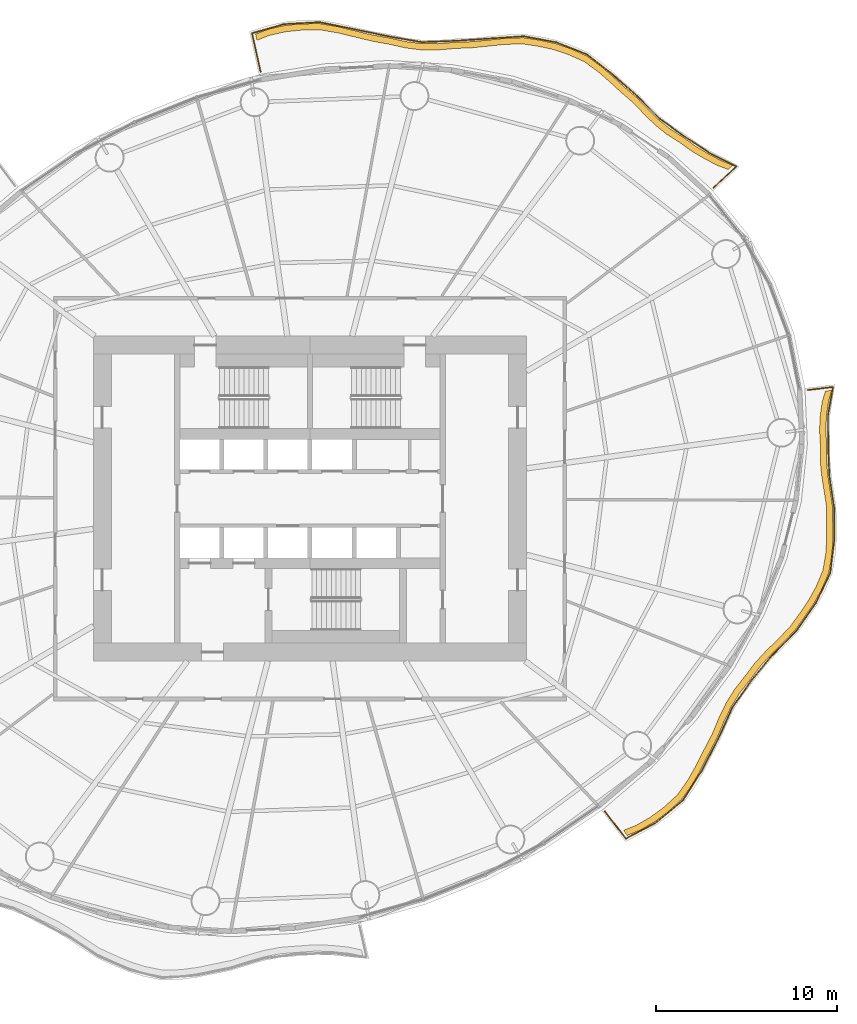
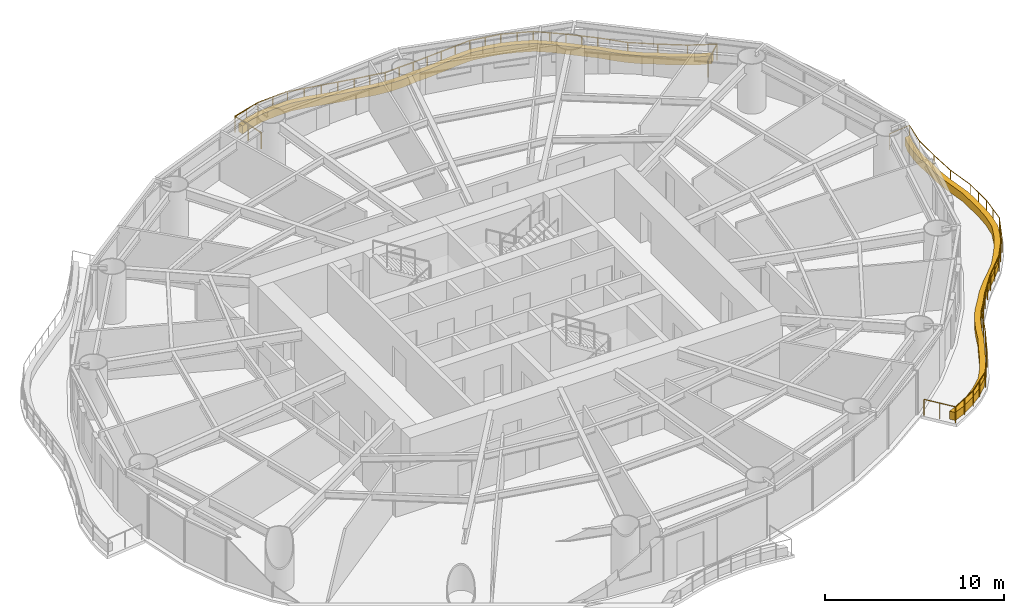
# One storey, part 14 of 14: 2 coverings, 2 railings.
"""IFC4 building model written with IfcOpenShell, lengths in metres."""

from ifc_helpers import new_model, si_unit, direction, frame, origin, origin_2d, place, context, subcontext, project, spatial, polyline, circle, outline, extrude, material, type_object, element, save


model = new_model("IFC4")

# Units and contexts
model_context = context("Model", 3, precision=1e-05, world=origin(), true_north=direction((0.0, 1.0)))
body_context = subcontext(model_context, "Body", "Model", "MODEL_VIEW")
ifc_project = project(units=[si_unit("LENGTHUNIT", "METRE"), si_unit("AREAUNIT", "SQUARE_METRE"), si_unit("VOLUMEUNIT", "CUBIC_METRE"), si_unit("PLANEANGLEUNIT", "RADIAN"), si_unit("MASSUNIT", "GRAM", prefix="KILO")], contexts=[model_context])

# Site, building, storey
site_placement = place(None, origin())
site = spatial("IfcSite", under=ifc_project, at=site_placement, CompositionType="ELEMENT")
building_placement = place(site_placement, origin())
building = spatial("IfcBuilding", under=site, at=building_placement, Name="Vermilion Reach Broadcast Tower", CompositionType="ELEMENT")
storey_placement = place(building_placement, frame((0.0, 0.0, 131.800048828125)))
storey = spatial("IfcBuildingStorey", under=building, at=storey_placement, Name="L31", CompositionType="ELEMENT", Elevation=131.800048828125)

# Coverings
ifc_material_1 = material(Name="Planting soil and greenery")
covering_type = type_object("IfcCoveringType", Name="Balcony PLANTER", PredefinedType="USERDEFINED", material=ifc_material_1)
placement = place(storey_placement, origin())
element("IfcCovering", 1, at=placement, inside=storey, type_object=covering_type, Name="PLANTER L31 group 1", ObjectType="PLANTER", PredefinedType="USERDEFINED", context=body_context, shape_type="SweptSolid", body=[
    extrude(outline(polyline([(17.419189453125, 18.464111328125), (16.803955078125, 18.708251953125), (16.08544921875, 19.0791015625), (15.398681640625, 19.484619140625), (14.6982421875, 19.993408203125), (13.958984375, 20.4658203125), (13.333251953125, 20.962890625), (12.750244140625, 21.52294921875), (12.11474609375, 22.1904296875), (11.390869140625, 22.806640625), (10.763916015625, 23.385009765625), (10.12646484375, 23.942138671875), (9.324462890625, 24.52197265625), (8.40869140625, 24.92626953125), (7.614990234375, 25.196044921875), (6.79296875, 25.37890625), (5.8115234375, 25.529052734375), (4.785400390625, 25.4912109375), (3.892333984375, 25.397216796875), (3.000244140625, 25.308349609375), (2.040771484375, 25.274169921875), (1.07666015625, 25.19140625), (0.19482421875, 25.19873046875), (-0.68017578125, 25.307861328125), (-1.6220703125, 25.516357421875), (-2.60400390625, 25.690185546875), (-3.514892578125, 25.91015625), (-4.426025390625, 26.131591796875), (-5.461181640625, 26.307861328125), (-6.511962890625, 26.292724609375), (-7.421875, 26.198974609375), (-8.313720703125, 25.9970703125), (-9.0146484375, 25.724365234375), (-8.9384765625, 25.3828125), (-8.25634765625, 25.65185546875), (-7.364501953125, 25.853515625), (-6.45458984375, 25.947265625), (-5.423583984375, 25.9599609375), (-4.407958984375, 25.781982421875), (-3.496826171875, 25.560546875), (-2.5859375, 25.340576171875), (-1.62451171875, 25.16650390625), (-0.703125, 24.958740234375), (0.172119140625, 24.849609375), (1.053955078125, 24.84228515625), (1.996826171875, 24.927001953125), (2.934814453125, 24.964599609375), (3.826904296875, 25.05322265625), (4.719970703125, 25.147216796875), (5.724365234375, 25.190185546875), (6.684326171875, 25.046142578125), (7.50634765625, 24.863525390625), (8.2998046875, 24.59375), (9.193603515625, 24.197509765625), (9.973876953125, 23.627197265625), (10.611328125, 23.070068359375), (11.23828125, 22.49169921875), (11.940185546875, 21.88720703125), (12.554443359375, 21.232666015625), (13.1376953125, 20.672607421875), (13.763427734375, 20.175537109375), (14.4814453125, 19.71875), (15.162109375, 19.2265625), (15.848876953125, 18.821044921875), (16.5673828125, 18.450439453125), (17.16357421875, 18.225341796875), (17.419189453125, 18.464111328125)])), origin(), (0.0, 0.0, 1.0), 0.550048828125),
])
element("IfcCovering", 2, at=placement, inside=storey, type_object=covering_type, Name="PLANTER L31 group 4", ObjectType="PLANTER", PredefinedType="USERDEFINED", context=body_context, shape_type="SweptSolid", body=[
    extrude(outline(polyline([(11.5771484375, -18.653564453125), (12.281494140625, -18.36767578125), (13.084716796875, -17.902587890625), (13.823974609375, -17.362548828125), (14.595703125, -16.651123046875), (15.19921875, -15.79931640625), (15.65234375, -14.9931640625), (16.072265625, -14.156005859375), (16.549072265625, -13.250732421875), (16.9375, -12.333251953125), (17.328369140625, -11.52783203125), (17.792724609375, -10.7763671875), (18.378662109375, -10.0322265625), (18.940185546875, -9.285400390625), (19.535400390625, -8.63330078125), (20.17236328125, -8.0048828125), (20.881591796875, -7.276123046875), (21.45654296875, -6.4716796875), (21.937255859375, -5.76171875), (22.34716796875, -5.0234375), (22.736083984375, -4.097900390625), (22.904541015625, -3.12744140625), (22.957275390625, -2.298583984375), (22.953125, -1.455078125), (22.94921875, -0.482177734375), (22.80859375, 0.46044921875), (22.682373046875, 1.27490234375), (22.608154296875, 2.083984375), (22.6142578125, 2.964599609375), (22.570556640625, 3.822998046875), (22.610107421875, 4.60546875), (22.720703125, 5.39111328125), (22.89453125, 5.9931640625), (22.546875, 5.951416015625), (22.37109375, 5.3759765625), (22.260498046875, 4.590576171875), (22.220947265625, 3.807861328125), (22.264404296875, 2.9755859375), (22.26025390625, 2.12109375), (22.334228515625, 1.31201171875), (22.460693359375, 0.49755859375), (22.604736328125, -0.42041015625), (22.61376953125, -1.368896484375), (22.617919921875, -2.21240234375), (22.565185546875, -3.04150390625), (22.4033203125, -3.9892578125), (22.022705078125, -4.892333984375), (21.61279296875, -5.630859375), (21.132080078125, -6.340576171875), (20.566162109375, -7.12451171875), (19.8671875, -7.83349609375), (19.230224609375, -8.4619140625), (18.635009765625, -9.11376953125), (18.08447265625, -9.84228515625), (17.5107421875, -10.569091796875), (17.04638671875, -11.3203125), (16.65576171875, -12.1259765625), (16.27978515625, -13.027099609375), (15.81640625, -13.917236328125), (15.396484375, -14.75439453125), (14.943359375, -15.560302734375), (14.353759765625, -16.398193359375), (13.5966796875, -17.096435546875), (12.857421875, -17.636474609375), (12.053955078125, -18.1015625), (11.36474609375, -18.375244140625), (11.5771484375, -18.653564453125)])), origin(), (0.0, 0.0, 1.0), 0.550048828125),
])

# Railings
ifc_material_2 = material(Name="Stainless steel 316 balustrade", Category="steel")
railing_type = type_object("IfcRailingType", Name="Balcony guard 1100", PredefinedType="BALUSTRADE", material=ifc_material_2)
railing_1_placement = place(storey_placement, frame((16.351318359375, 17.221435546875, 0.0)))
element("IfcRailing", 3, at=railing_1_placement, inside=storey, type_object=railing_type, Name="Balcony guard L31 group 1", PredefinedType="BALUSTRADE", context=body_context, shape_type="SweptSolid", body=[
    extrude(circle(Radius=0.02490234375, at=origin_2d()), frame((0.0, 0.0, 1.0751953125), z_axis=(0.730927996919, 0.682454587002, 0.0), x_axis=(-0.682454587002, 0.730927996919, 0.0)), (0.0, 0.0, 1.0), 1.722412109375),
    extrude(circle(Radius=0.02490234375, at=origin_2d()), frame((1.259033203125, 1.175537109375, 1.0751953125), z_axis=(-0.893089136277, 0.449879755784, 0.0), x_axis=(-0.449879755784, -0.893089136277, 0.0)), (0.0, 0.0, 1.0), 1.64697265625),
    extrude(circle(Radius=0.02490234375, at=origin_2d()), frame((-0.2119140625, 1.91650390625, 1.0751953125), z_axis=(-0.834609406562, 0.550842208331, 0.0), x_axis=(-0.550842208331, -0.834609406562, 0.0)), (0.0, 0.0, 1.0), 1.66748046875),
    extrude(circle(Radius=0.02490234375, at=origin_2d()), frame((-1.603515625, 2.8349609375, 1.0751953125), z_axis=(-0.815321236654, 0.579008878223, 0.0), x_axis=(-0.579008878223, -0.815321236654, 0.0)), (0.0, 0.0, 1.0), 1.679931640625),
    extrude(circle(Radius=0.02490234375, at=origin_2d()), frame((-2.97314453125, 3.8076171875, 1.0751953125), z_axis=(-0.705064048845, 0.709143629335, 0.0), x_axis=(-0.709143629335, -0.705064048845, 0.0)), (0.0, 0.0, 1.0), 1.735595703125),
    extrude(circle(Radius=0.02490234375, at=origin_2d()), frame((-4.19677734375, 5.038330078125, 1.0751953125), z_axis=(-0.749609363771, 0.661880504129, 0.0), x_axis=(-0.661880504129, -0.749609363771, 0.0)), (0.0, 0.0, 1.0), 1.808837890625),
    extrude(circle(Radius=0.02490234375, at=origin_2d()), frame((-5.552734375, 6.235595703125, 1.0751953125), z_axis=(-0.785123938357, 0.619338680706, 0.0), x_axis=(-0.619338680706, -0.785123938357, 0.0)), (0.0, 0.0, 1.0), 1.83935546875),
    extrude(circle(Radius=0.02490234375, at=origin_2d()), frame((-6.996826171875, 7.374755859375, 1.0751953125), z_axis=(-0.930301581087, 0.366795540087, 0.0), x_axis=(-0.366795540087, -0.930301581087, 0.0)), (0.0, 0.0, 1.0), 1.843017578125),
    extrude(circle(Radius=0.02490234375, at=origin_2d()), frame((-8.71142578125, 8.05078125, 1.0751953125), z_axis=(-0.983345331631, 0.181746963548, 0.0), x_axis=(-0.181746963548, -0.983345331631, 0.0)), (0.0, 0.0, 1.0), 1.8388671875),
    extrude(circle(Radius=0.02490234375, at=origin_2d()), frame((-10.519775390625, 8.385009765625, 1.0751953125), z_axis=(-0.997704341867, -0.06772035307, 0.0), x_axis=(0.06772035307, -0.997704341867, 0.0)), (0.0, 0.0, 1.0), 1.9287109375),
    extrude(circle(Radius=0.02490234375, at=origin_2d()), frame((-12.444091796875, 8.25439453125, 1.0751953125), z_axis=(-0.997835966641, -0.065752442363, 0.0), x_axis=(0.065752442363, -0.997835966641, 0.0)), (0.0, 0.0, 1.0), 1.860107421875),
    extrude(circle(Radius=0.02490234375, at=origin_2d()), frame((-14.30029296875, 8.132080078125, 1.0751953125), z_axis=(-0.999181045063, -0.040462812404, 0.0), x_axis=(0.040462812404, -0.999181045063, 0.0)), (0.0, 0.0, 1.0), 1.852294921875),
    extrude(circle(Radius=0.02490234375, at=origin_2d()), frame((-16.151123046875, 8.05712890625, 1.0751953125), z_axis=(-0.985116647621, 0.171887144894, 0.0), x_axis=(-0.171887144894, -0.985116647621, 0.0)), (0.0, 0.0, 1.0), 1.849365234375),
    extrude(circle(Radius=0.02490234375, at=origin_2d()), frame((-17.972900390625, 8.375, 1.0751953125), z_axis=(-0.979160316231, 0.203088835533, 0.0), x_axis=(-0.203088835533, -0.979160316231, 0.0)), (0.0, 0.0, 1.0), 1.937744140625),
    extrude(circle(Radius=0.02490234375, at=origin_2d()), frame((-19.870361328125, 8.7685546875, 1.0751953125), z_axis=(-0.979866775368, 0.199652454355, 0.0), x_axis=(-0.199652454355, -0.979866775368, 0.0)), (0.0, 0.0, 1.0), 1.99072265625),
    extrude(circle(Radius=0.02490234375, at=origin_2d()), frame((-21.821044921875, 9.166015625, 1.0751953125), z_axis=(-0.998447732007, -0.055696736448, 0.0), x_axis=(0.055696736448, -0.998447732007, 0.0)), (0.0, 0.0, 1.0), 1.96826171875),
    extrude(circle(Radius=0.02490234375, at=origin_2d()), frame((-23.7861328125, 9.056396484375, 1.0751953125), z_axis=(-0.961867734822, -0.273515010026, 0.0), x_axis=(0.273515010026, -0.961867734822, 0.0)), (0.0, 0.0, 1.0), 1.844970703125),
    extrude(circle(Radius=0.02490234375, at=origin_2d()), frame((-25.560791015625, 8.5517578125, 1.0751953125), z_axis=(0.217429356802, -0.976076059947, 0.0), x_axis=(0.976076059947, 0.217429356802, 0.0)), (0.0, 0.0, 1.0), 2.176025390625),
    extrude(circle(Radius=0.02490234375, at=origin_2d()), origin(), (0.0, 0.0, 1.0), 1.050048828125),
    extrude(circle(Radius=0.02490234375, at=origin_2d()), frame((1.259033203125, 1.175537109375, 0.0)), (0.0, 0.0, 1.0), 1.050048828125),
    extrude(circle(Radius=0.02490234375, at=origin_2d()), frame((-0.2119140625, 1.91650390625, 0.0)), (0.0, 0.0, 1.0), 1.050048828125),
    extrude(circle(Radius=0.02490234375, at=origin_2d()), frame((-1.603515625, 2.8349609375, 0.0)), (0.0, 0.0, 1.0), 1.050048828125),
    extrude(circle(Radius=0.02490234375, at=origin_2d()), frame((-2.97314453125, 3.8076171875, 0.0)), (0.0, 0.0, 1.0), 1.050048828125),
    extrude(circle(Radius=0.02490234375, at=origin_2d()), frame((-4.19677734375, 5.038330078125, 0.0)), (0.0, 0.0, 1.0), 1.050048828125),
    extrude(circle(Radius=0.02490234375, at=origin_2d()), frame((-4.874755859375, 5.636962890625, 0.0)), (0.0, 0.0, 1.0), 1.050048828125),
    extrude(circle(Radius=0.02490234375, at=origin_2d()), frame((-5.552734375, 6.235595703125, 0.0)), (0.0, 0.0, 1.0), 1.050048828125),
    extrude(circle(Radius=0.02490234375, at=origin_2d()), frame((-6.27490234375, 6.80517578125, 0.0)), (0.0, 0.0, 1.0), 1.050048828125),
    extrude(circle(Radius=0.02490234375, at=origin_2d()), frame((-6.996826171875, 7.374755859375, 0.0)), (0.0, 0.0, 1.0), 1.050048828125),
    extrude(circle(Radius=0.02490234375, at=origin_2d()), frame((-7.85400390625, 7.712890625, 0.0)), (0.0, 0.0, 1.0), 1.050048828125),
    extrude(circle(Radius=0.02490234375, at=origin_2d()), frame((-8.71142578125, 8.05078125, 0.0)), (0.0, 0.0, 1.0), 1.050048828125),
    extrude(circle(Radius=0.02490234375, at=origin_2d()), frame((-9.61572265625, 8.2177734375, 0.0)), (0.0, 0.0, 1.0), 1.050048828125),
    extrude(circle(Radius=0.02490234375, at=origin_2d()), frame((-10.519775390625, 8.385009765625, 0.0)), (0.0, 0.0, 1.0), 1.050048828125),
    extrude(circle(Radius=0.02490234375, at=origin_2d()), frame((-11.48193359375, 8.31982421875, 0.0)), (0.0, 0.0, 1.0), 1.050048828125),
    extrude(circle(Radius=0.02490234375, at=origin_2d()), frame((-12.444091796875, 8.25439453125, 0.0)), (0.0, 0.0, 1.0), 1.050048828125),
    extrude(circle(Radius=0.02490234375, at=origin_2d()), frame((-13.3720703125, 8.193359375, 0.0)), (0.0, 0.0, 1.0), 1.050048828125),
    extrude(circle(Radius=0.02490234375, at=origin_2d()), frame((-14.30029296875, 8.132080078125, 0.0)), (0.0, 0.0, 1.0), 1.050048828125),
    extrude(circle(Radius=0.02490234375, at=origin_2d()), frame((-15.2255859375, 8.0947265625, 0.0)), (0.0, 0.0, 1.0), 1.050048828125),
    extrude(circle(Radius=0.02490234375, at=origin_2d()), frame((-16.151123046875, 8.05712890625, 0.0)), (0.0, 0.0, 1.0), 1.050048828125),
    extrude(circle(Radius=0.02490234375, at=origin_2d()), frame((-17.06201171875, 8.216064453125, 0.0)), (0.0, 0.0, 1.0), 1.050048828125),
    extrude(circle(Radius=0.02490234375, at=origin_2d()), frame((-17.972900390625, 8.375, 0.0)), (0.0, 0.0, 1.0), 1.050048828125),
    extrude(circle(Radius=0.02490234375, at=origin_2d()), frame((-18.921630859375, 8.57177734375, 0.0)), (0.0, 0.0, 1.0), 1.050048828125),
    extrude(circle(Radius=0.02490234375, at=origin_2d()), frame((-19.870361328125, 8.7685546875, 0.0)), (0.0, 0.0, 1.0), 1.050048828125),
    extrude(circle(Radius=0.02490234375, at=origin_2d()), frame((-20.845703125, 8.96728515625, 0.0)), (0.0, 0.0, 1.0), 1.050048828125),
    extrude(circle(Radius=0.02490234375, at=origin_2d()), frame((-21.821044921875, 9.166015625, 0.0)), (0.0, 0.0, 1.0), 1.050048828125),
    extrude(circle(Radius=0.02490234375, at=origin_2d()), frame((-22.8037109375, 9.111328125, 0.0)), (0.0, 0.0, 1.0), 1.050048828125),
    extrude(circle(Radius=0.02490234375, at=origin_2d()), frame((-23.7861328125, 9.056396484375, 0.0)), (0.0, 0.0, 1.0), 1.050048828125),
    extrude(circle(Radius=0.02490234375, at=origin_2d()), frame((-24.67333984375, 8.80419921875, 0.0)), (0.0, 0.0, 1.0), 1.050048828125),
    extrude(circle(Radius=0.02490234375, at=origin_2d()), frame((-25.560791015625, 8.5517578125, 0.0)), (0.0, 0.0, 1.0), 1.050048828125),
    extrude(circle(Radius=0.02490234375, at=origin_2d()), frame((-25.32421875, 7.48974609375, 0.0)), (0.0, 0.0, 1.0), 1.050048828125),
    extrude(circle(Radius=0.02490234375, at=origin_2d()), frame((-25.087646484375, 6.427734375, 0.0)), (0.0, 0.0, 1.0), 1.050048828125),
])
railing_2_placement = place(storey_placement, frame((10.333251953125, -17.320556640625, 0.0)))
element("IfcRailing", 4, at=railing_2_placement, inside=storey, type_object=railing_type, Name="Balcony guard L31 group 4", PredefinedType="BALUSTRADE", context=body_context, shape_type="SweptSolid", body=[
    extrude(circle(Radius=0.02490234375, at=origin_2d()), frame((0.0, 0.0, 1.0751953125), z_axis=(0.606850282828, -0.794816163796, 0.0), x_axis=(0.794816163796, 0.606850282828, 0.0)), (0.0, 0.0, 1.0), 1.904052734375),
    extrude(circle(Radius=0.02490234375, at=origin_2d()), frame((1.155517578125, -1.513427734375, 1.0751953125), z_axis=(0.884195425687, 0.467117168593, 0.0), x_axis=(-0.467117168593, 0.884195425687, 0.0)), (0.0, 0.0, 1.0), 1.86376953125),
    extrude(circle(Radius=0.02490234375, at=origin_2d()), frame((2.803466796875, -0.642822265625, 1.0751953125), z_axis=(0.770120885969, 0.637897970677, 0.0), x_axis=(-0.637897970677, 0.770120885969, 0.0)), (0.0, 0.0, 1.0), 1.966552734375),
    extrude(circle(Radius=0.02490234375, at=origin_2d()), frame((4.31787109375, 0.611572265625, 1.0751953125), z_axis=(0.537773177436, 0.843089562045, 0.0), x_axis=(-0.843089562045, 0.537773177436, 0.0)), (0.0, 0.0, 1.0), 1.97021484375),
    extrude(circle(Radius=0.02490234375, at=origin_2d()), frame((5.37744140625, 2.272705078125, 1.0751953125), z_axis=(0.458117305863, 0.888891744854, 0.0), x_axis=(-0.888891744854, 0.458117305863, 0.0)), (0.0, 0.0, 1.0), 1.96435546875),
    extrude(circle(Radius=0.02490234375, at=origin_2d()), frame((6.27734375, 4.018798828125, 1.0751953125), z_axis=(0.412676946479, 0.9108774549, 0.0), x_axis=(-0.9108774549, 0.412676946479, 0.0)), (0.0, 0.0, 1.0), 1.8955078125),
    extrude(circle(Radius=0.02490234375, at=origin_2d()), frame((7.0595703125, 5.745361328125, 1.0751953125), z_axis=(0.574615232178, 0.818423689142, 0.0), x_axis=(-0.818423689142, 0.574615232178, 0.0)), (0.0, 0.0, 1.0), 1.83251953125),
    extrude(circle(Radius=0.02490234375, at=origin_2d()), frame((8.112548828125, 7.2451171875, 1.0751953125), z_axis=(0.636985451869, 0.770875822755, 0.0), x_axis=(-0.770875822755, 0.636985451869, 0.0)), (0.0, 0.0, 1.0), 1.81982421875),
    extrude(circle(Radius=0.02490234375, at=origin_2d()), frame((9.271728515625, 8.64794921875, 1.0751953125), z_axis=(0.703723400295, 0.710474050108, 0.0), x_axis=(-0.710474050108, 0.703723400295, 0.0)), (0.0, 0.0, 1.0), 1.916748046875),
    extrude(circle(Radius=0.02490234375, at=origin_2d()), frame((10.62060546875, 10.009765625, 1.0751953125), z_axis=(0.571389067786, 0.820679312042, 0.0), x_axis=(-0.820679312042, 0.571389067786, 0.0)), (0.0, 0.0, 1.0), 1.85107421875),
    extrude(circle(Radius=0.02490234375, at=origin_2d()), frame((11.67822265625, 11.52880859375, 1.0751953125), z_axis=(0.432486641212, 0.901640341363, 0.0), x_axis=(-0.901640341363, 0.432486641212, 0.0)), (0.0, 0.0, 1.0), 1.85107421875),
    extrude(circle(Radius=0.02490234375, at=origin_2d()), frame((12.478759765625, 13.19775390625, 1.0751953125), z_axis=(0.122448202604, 0.992474905315, 0.0), x_axis=(-0.992474905315, 0.122448202604, 0.0)), (0.0, 0.0, 1.0), 1.818359375),
    extrude(circle(Radius=0.02490234375, at=origin_2d()), frame((12.701416015625, 15.00244140625, 1.0751953125), z_axis=(-0.003618309201, 0.999993453898, 0.0), x_axis=(-0.999993453898, -0.003618309201, 0.0)), (0.0, 0.0, 1.0), 1.82177734375),
    extrude(circle(Radius=0.02490234375, at=origin_2d()), frame((12.69482421875, 16.82421875, 1.0751953125), z_axis=(-0.149257744529, 0.988798324077, 0.0), x_axis=(-0.988798324077, -0.149257744529, 0.0)), (0.0, 0.0, 1.0), 1.782958984375),
    extrude(circle(Radius=0.02490234375, at=origin_2d()), frame((12.4287109375, 18.587158203125, 1.0751953125), z_axis=(-0.039858852778, 0.99920532017, 0.0), x_axis=(-0.99920532017, -0.039858852778, 0.0)), (0.0, 0.0, 1.0), 1.69677734375),
    extrude(circle(Radius=0.02490234375, at=origin_2d()), frame((12.361083984375, 20.282470703125, 1.0751953125), z_axis=(-0.002668238352, 0.999996440246, 0.0), x_axis=(-0.999996440246, -0.002668238352, 0.0)), (0.0, 0.0, 1.0), 1.64697265625),
    extrude(circle(Radius=0.02490234375, at=origin_2d()), frame((12.356689453125, 21.929443359375, 1.0751953125), z_axis=(0.17281768267, 0.984953830673, 0.0), x_axis=(-0.984953830673, 0.17281768267, 0.0)), (0.0, 0.0, 1.0), 1.59765625),
    extrude(circle(Radius=0.02490234375, at=origin_2d()), frame((12.6328125, 23.503173828125, 1.0751953125), z_axis=(-0.99279703537, -0.119808374335, 0.0), x_axis=(0.119808374335, -0.99279703537, 0.0)), (0.0, 0.0, 1.0), 1.408203125),
    extrude(circle(Radius=0.02490234375, at=origin_2d()), origin(), (0.0, 0.0, 1.0), 1.050048828125),
    extrude(circle(Radius=0.02490234375, at=origin_2d()), frame((0.57763671875, -0.7568359375, 0.0)), (0.0, 0.0, 1.0), 1.050048828125),
    extrude(circle(Radius=0.02490234375, at=origin_2d()), frame((1.155517578125, -1.513427734375, 0.0)), (0.0, 0.0, 1.0), 1.050048828125),
    extrude(circle(Radius=0.02490234375, at=origin_2d()), frame((1.9794921875, -1.078125, 0.0)), (0.0, 0.0, 1.0), 1.050048828125),
    extrude(circle(Radius=0.02490234375, at=origin_2d()), frame((2.803466796875, -0.642822265625, 0.0)), (0.0, 0.0, 1.0), 1.050048828125),
    extrude(circle(Radius=0.02490234375, at=origin_2d()), frame((3.560546875, -0.015625, 0.0)), (0.0, 0.0, 1.0), 1.050048828125),
    extrude(circle(Radius=0.02490234375, at=origin_2d()), frame((4.31787109375, 0.611572265625, 0.0)), (0.0, 0.0, 1.0), 1.050048828125),
    extrude(circle(Radius=0.02490234375, at=origin_2d()), frame((4.84765625, 1.442138671875, 0.0)), (0.0, 0.0, 1.0), 1.050048828125),
    extrude(circle(Radius=0.02490234375, at=origin_2d()), frame((5.37744140625, 2.272705078125, 0.0)), (0.0, 0.0, 1.0), 1.050048828125),
    extrude(circle(Radius=0.02490234375, at=origin_2d()), frame((5.827392578125, 3.145751953125, 0.0)), (0.0, 0.0, 1.0), 1.050048828125),
    extrude(circle(Radius=0.02490234375, at=origin_2d()), frame((6.27734375, 4.018798828125, 0.0)), (0.0, 0.0, 1.0), 1.050048828125),
    extrude(circle(Radius=0.02490234375, at=origin_2d()), frame((6.66845703125, 4.882080078125, 0.0)), (0.0, 0.0, 1.0), 1.050048828125),
    extrude(circle(Radius=0.02490234375, at=origin_2d()), frame((7.0595703125, 5.745361328125, 0.0)), (0.0, 0.0, 1.0), 1.050048828125),
    extrude(circle(Radius=0.02490234375, at=origin_2d()), frame((7.5859375, 6.4951171875, 0.0)), (0.0, 0.0, 1.0), 1.050048828125),
    extrude(circle(Radius=0.02490234375, at=origin_2d()), frame((8.112548828125, 7.2451171875, 0.0)), (0.0, 0.0, 1.0), 1.050048828125),
    extrude(circle(Radius=0.02490234375, at=origin_2d()), frame((8.692138671875, 7.946533203125, 0.0)), (0.0, 0.0, 1.0), 1.050048828125),
    extrude(circle(Radius=0.02490234375, at=origin_2d()), frame((9.271728515625, 8.64794921875, 0.0)), (0.0, 0.0, 1.0), 1.050048828125),
    extrude(circle(Radius=0.02490234375, at=origin_2d()), frame((9.9462890625, 9.328857421875, 0.0)), (0.0, 0.0, 1.0), 1.050048828125),
    extrude(circle(Radius=0.02490234375, at=origin_2d()), frame((10.62060546875, 10.009765625, 0.0)), (0.0, 0.0, 1.0), 1.050048828125),
    extrude(circle(Radius=0.02490234375, at=origin_2d()), frame((11.1494140625, 10.769287109375, 0.0)), (0.0, 0.0, 1.0), 1.050048828125),
    extrude(circle(Radius=0.02490234375, at=origin_2d()), frame((11.67822265625, 11.52880859375, 0.0)), (0.0, 0.0, 1.0), 1.050048828125),
    extrude(circle(Radius=0.02490234375, at=origin_2d()), frame((12.07861328125, 12.36328125, 0.0)), (0.0, 0.0, 1.0), 1.050048828125),
    extrude(circle(Radius=0.02490234375, at=origin_2d()), frame((12.478759765625, 13.19775390625, 0.0)), (0.0, 0.0, 1.0), 1.050048828125),
    extrude(circle(Radius=0.02490234375, at=origin_2d()), frame((12.590087890625, 14.10009765625, 0.0)), (0.0, 0.0, 1.0), 1.050048828125),
    extrude(circle(Radius=0.02490234375, at=origin_2d()), frame((12.701416015625, 15.00244140625, 0.0)), (0.0, 0.0, 1.0), 1.050048828125),
    extrude(circle(Radius=0.02490234375, at=origin_2d()), frame((12.6982421875, 15.913330078125, 0.0)), (0.0, 0.0, 1.0), 1.050048828125),
    extrude(circle(Radius=0.02490234375, at=origin_2d()), frame((12.69482421875, 16.82421875, 0.0)), (0.0, 0.0, 1.0), 1.050048828125),
    extrude(circle(Radius=0.02490234375, at=origin_2d()), frame((12.4287109375, 18.587158203125, 0.0)), (0.0, 0.0, 1.0), 1.050048828125),
    extrude(circle(Radius=0.02490234375, at=origin_2d()), frame((12.361083984375, 20.282470703125, 0.0)), (0.0, 0.0, 1.0), 1.050048828125),
    extrude(circle(Radius=0.02490234375, at=origin_2d()), frame((12.356689453125, 21.929443359375, 0.0)), (0.0, 0.0, 1.0), 1.050048828125),
    extrude(circle(Radius=0.02490234375, at=origin_2d()), frame((12.6328125, 23.503173828125, 0.0)), (0.0, 0.0, 1.0), 1.050048828125),
    extrude(circle(Radius=0.02490234375, at=origin_2d()), frame((11.23486328125, 23.33447265625, 0.0)), (0.0, 0.0, 1.0), 1.050048828125),
])

save(model, "model.ifc")
